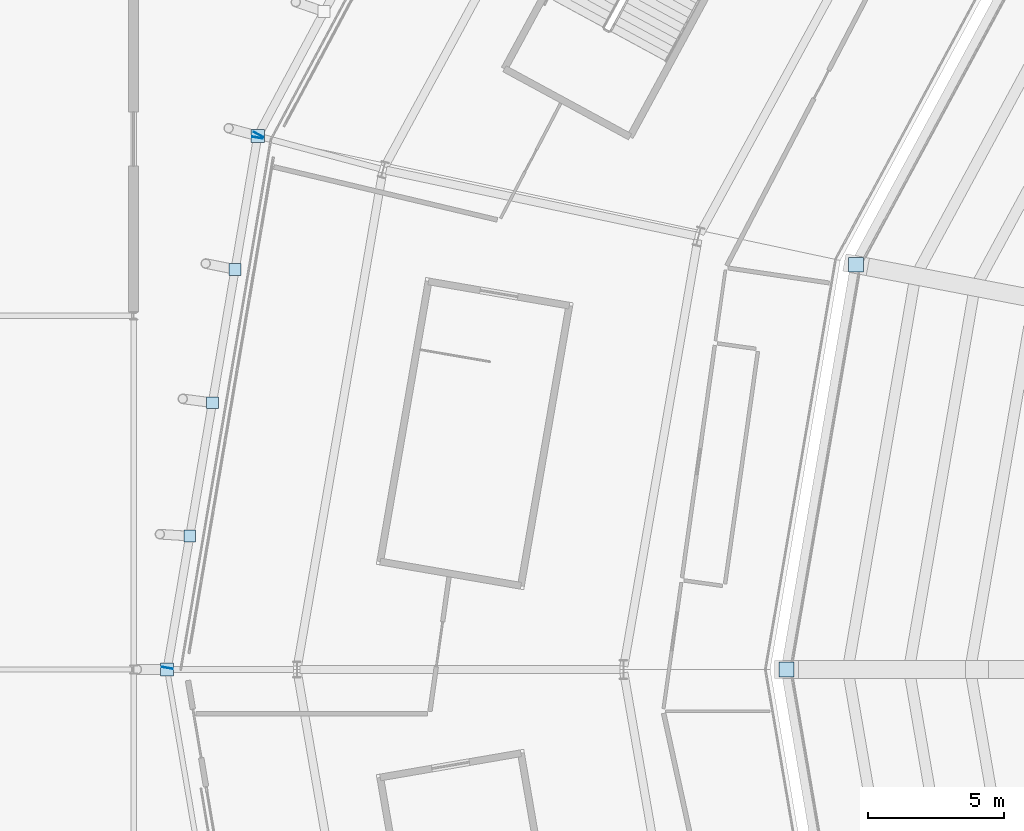
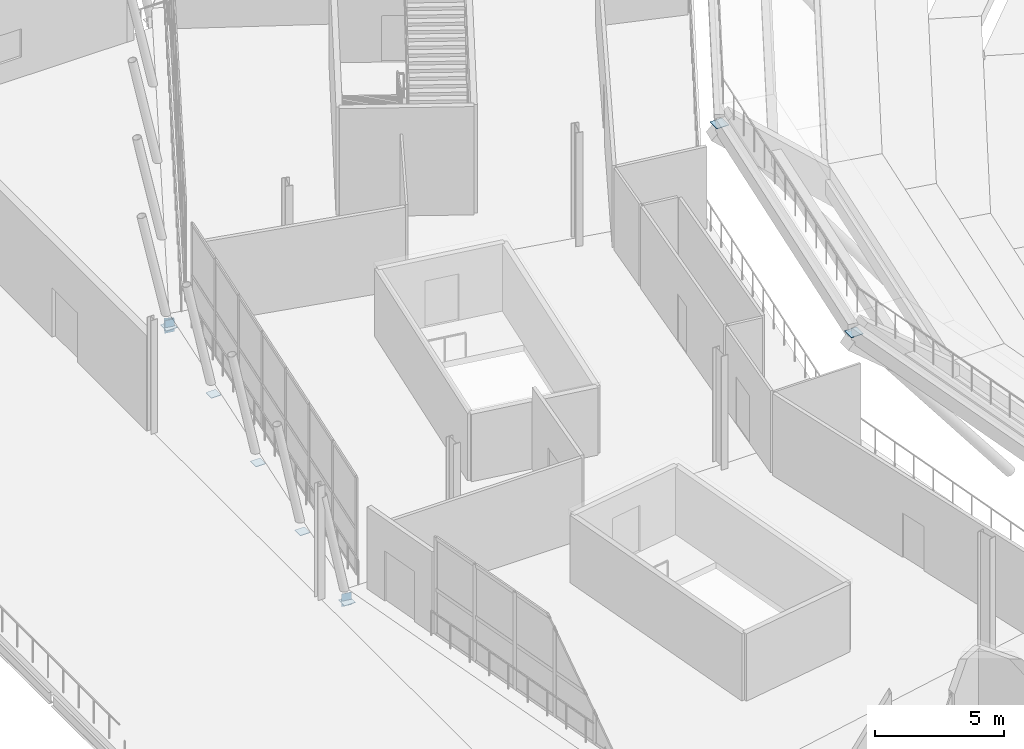
# One storey, part 79 of 126: 10 plates.
"""IFC4 building model written with IfcOpenShell, lengths in metres."""

from ifc_helpers import new_model, si_unit, direction, frame, origin, origin_2d, place, context, subcontext, project, spatial, rectangle, extrude, material, layer, layer_set, type_object, element, save


model = new_model("IFC4")

# Units and contexts
model_context = context("Model", 3, precision=1e-05, world=origin(), true_north=direction((0.0, 1.0)))
body_context = subcontext(model_context, "Body", "Model", "MODEL_VIEW")
ifc_project = project(units=[si_unit("LENGTHUNIT", "METRE"), si_unit("AREAUNIT", "SQUARE_METRE"), si_unit("VOLUMEUNIT", "CUBIC_METRE"), si_unit("PLANEANGLEUNIT", "RADIAN"), si_unit("MASSUNIT", "GRAM", prefix="KILO")], contexts=[model_context])

# Site, building, storey
site_placement = place(None, origin())
site = spatial("IfcSite", under=ifc_project, at=site_placement, CompositionType="ELEMENT")
building_placement = place(site_placement, origin())
building = spatial("IfcBuilding", under=site, at=building_placement, Name="Zlatoyarsky Gate Stadium", CompositionType="ELEMENT")
storey_placement = place(building_placement, frame((0.0, 0.0, 20.800048828125)))
storey = spatial("IfcBuildingStorey", under=building, at=storey_placement, Name="L04", CompositionType="ELEMENT", Elevation=20.800048828125)

# Plates
ifc_material = material(Name="Steel S355", Category="steel")
ifc_layer = layer(ifc_material, 0.02392578125)
ifc_layer_set = layer_set([ifc_layer], Name="Steel S355")
plate_type = type_object("IfcPlateType", Name="STEEL HOLLOW CHORD SPLICE SHEET 24", PredefinedType="SHEET", material=ifc_layer_set)
for number, where, z_axis, x_axis, name in (
    (1, (16.590087890625, 99.66357421875, -0.85009765625), (0.0, 0.0, 1.0), (-0.471375588462, -0.881932568059, 0.0), "Hollow end cap ND-SP1 CAP-L04-SPD-10 B"),
    (2, (16.5517578125, 99.551513671875, -0.85009765625), (0.0, 0.0, 1.0), (-0.167478129765, -0.985875791391, 0.0), "Hollow end cap ND-SP1 CAP-L04-SPD-11 A"),
    (3, (13.240478515625, 80.05908203125, -0.85009765625), (0.0, 0.0, 1.0), (-0.167478129765, -0.985875791391, 0.0), "Hollow end cap ND-SP1 CAP-L04-SPD-11 B"),
):
    element("IfcPlate", number, at=place(storey_placement, frame(where, z_axis=z_axis, x_axis=x_axis)), inside=storey, type_object=plate_type, Name=name, PredefinedType="SHEET", context=body_context, shape_type="SweptSolid", body=[
        extrude(rectangle(XDim=0.02392578125, YDim=0.39990234375, at=origin_2d()), origin(), (0.0, 0.0, 1.0), 0.60009765625),
    ])
for number, where, z_axis, x_axis, name in (
    (4, (16.561767578125, 99.610595703125, -0.612060546875), (0.0, 0.0, 1.0), (1.0, 0.0, 0.0), "Node closure plate ND-SP1 NCAP-L04-RSTR-11"),
    (5, (13.23046875, 80.0, -0.612060546875), (0.0, 0.0, 1.0), (1.0, 0.0, 0.0), "Node closure plate ND-SP1 NCAP-L04-RSTR-12"),
):
    element("IfcPlate", number, at=place(storey_placement, frame(where, z_axis=z_axis, x_axis=x_axis)), inside=storey, type_object=plate_type, Name=name, PredefinedType="SHEET", context=body_context, shape_type="SweptSolid", body=[
        extrude(rectangle(XDim=0.47998046875, YDim=0.47998046875, at=origin_2d()), origin(), (0.0, 0.0, 1.0), 0.02392578125),
    ])
for number, where, z_axis, x_axis, name in (
    (6, (38.5556640625, 94.882080078125, 4.177978515625), (0.0, 0.0, 1.0), (1.0, 0.0, 0.0), "Node closure plate ND-SP1 NCAP-UTOP-11"),
    (7, (36.0, 80.0, 4.177978515625), (0.0, 0.0, 1.0), (1.0, 0.0, 0.0), "Node closure plate ND-SP1 NCAP-UTOP-12"),
):
    element("IfcPlate", number, at=place(storey_placement, frame(where, z_axis=z_axis, x_axis=x_axis)), inside=storey, type_object=plate_type, Name=name, PredefinedType="SHEET", context=body_context, shape_type="SweptSolid", body=[
        extrude(rectangle(XDim=0.5400390625, YDim=0.5400390625, at=origin_2d()), origin(), (0.0, 0.0, 1.0), 0.02392578125),
    ])
for number, where, z_axis, x_axis, name in (
    (8, (15.72900390625, 94.7080078125, -0.56201171875), (0.0, 0.0, 1.0), (1.0, 0.0, 0.0), "Node closure plate ND-SP1 NCAP-RIB-11-1-2T"),
    (9, (14.89599609375, 89.805419921875, -0.56201171875), (0.0, 0.0, 1.0), (1.0, 0.0, 0.0), "Node closure plate ND-SP1 NCAP-RIB-11-2-2T"),
    (10, (14.063232421875, 84.902587890625, -0.56201171875), (0.0, 0.0, 1.0), (1.0, 0.0, 0.0), "Node closure plate ND-SP1 NCAP-RIB-11-3-2T"),
):
    element("IfcPlate", number, at=place(storey_placement, frame(where, z_axis=z_axis, x_axis=x_axis)), inside=storey, type_object=plate_type, Name=name, PredefinedType="SHEET", context=body_context, shape_type="SweptSolid", body=[
        extrude(rectangle(XDim=0.43994140625, YDim=0.43994140625, at=origin_2d()), origin(), (0.0, 0.0, 1.0), 0.02392578125),
    ])

save(model, "model.ifc")
